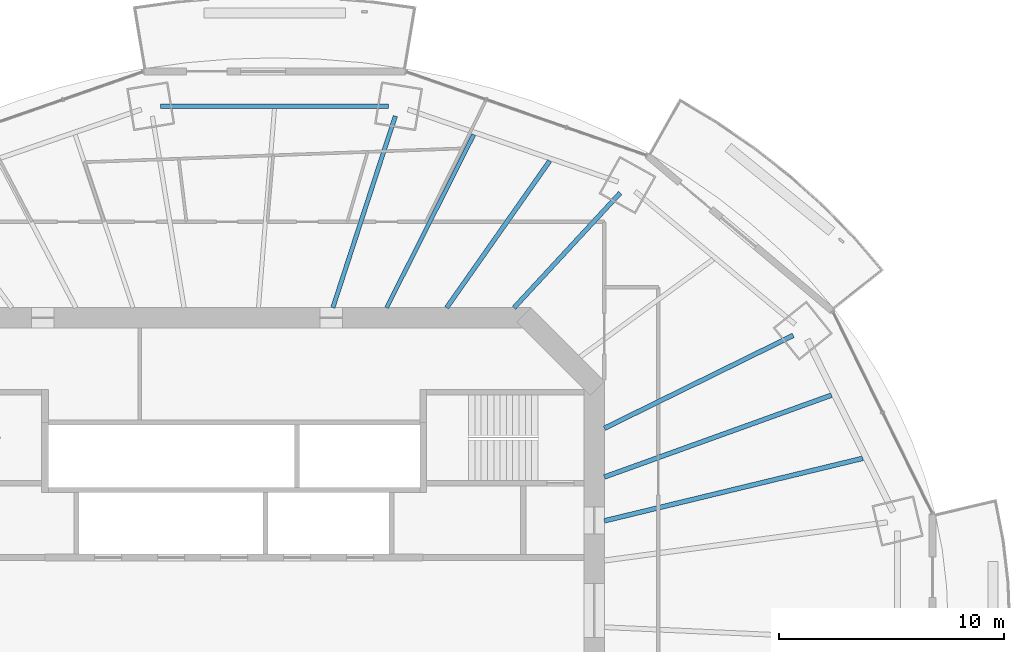
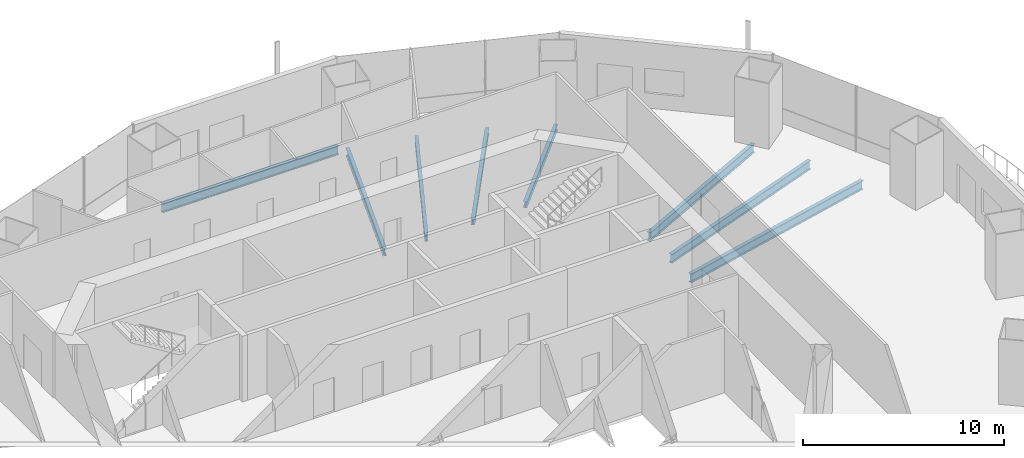
# One storey, part 7 of 19: 8 beams.
"""IFC4 building model written with IfcOpenShell, lengths in metres."""

from ifc_helpers import new_model, si_unit, direction, frame, origin, origin_2d, place, context, subcontext, project, spatial, i_section, extrude, material, material_profile, profile_set, type_object, element, save


model = new_model("IFC4")

# Units and contexts
model_context = context("Model", 3, precision=1e-05, world=origin(), true_north=direction((0.0, 1.0)))
body_context = subcontext(model_context, "Body", "Model", "MODEL_VIEW")
ifc_project = project(units=[si_unit("LENGTHUNIT", "METRE"), si_unit("AREAUNIT", "SQUARE_METRE"), si_unit("VOLUMEUNIT", "CUBIC_METRE"), si_unit("PLANEANGLEUNIT", "RADIAN"), si_unit("MASSUNIT", "GRAM", prefix="KILO")], contexts=[model_context])

# Site, building, storey
site_placement = place(None, origin())
site = spatial("IfcSite", under=ifc_project, at=site_placement, CompositionType="ELEMENT")
building_placement = place(site_placement, origin())
building = spatial("IfcBuilding", under=site, at=building_placement, Name="Marenthal Gate Tower", CompositionType="ELEMENT")
storey_placement = place(building_placement, frame((0.0, 0.0, 252.35009765625)))
storey = spatial("IfcBuildingStorey", under=building, at=storey_placement, Name="L56", CompositionType="ELEMENT", Elevation=252.35009765625)

# Beams
ifc_material_1 = material(Name="Steel S355", Category="steel")
ifc_material_profile_1 = material_profile(ifc_material_1, i_section(OverallWidth=0.205078125, OverallDepth=0.35302734375, WebThickness=0.009521484375, FlangeThickness=0.016845703125, FilletRadius=0.014892578125, at=origin_2d()), Name="W360X79")
ifc_profile_set_1 = profile_set([ifc_material_profile_1], Name="Steel S355")
beam_type_1 = type_object("IfcBeamType", Name="W360X79 beam", PredefinedType="BEAM", material=ifc_profile_set_1)
beam_1_placement = place(storey_placement, frame((17.155517578125, 18.55029296875, -0.356689453125), z_axis=(-0.678981850603, -0.734155056205, 0.0), x_axis=(0.734155056205, -0.678981850603, 0.0)))
element("IfcBeam", 1, at=beam_1_placement, inside=storey, type_object=beam_type_1, Name="BM-L56-03", PredefinedType="BEAM", context=body_context, shape_type="SweptSolid", body=[
    extrude(i_section(OverallWidth=0.205078125, OverallDepth=0.35302734375, WebThickness=0.009521484375, FlangeThickness=0.016845703125, FilletRadius=0.014892578125, at=origin_2d()), origin(), (0.0, 0.0, 1.0), 6.947265625),
])
beam_2_placement = place(storey_placement, frame((14.025146484375, 19.978271484375, -0.356689453125), z_axis=(-0.57457109748, -0.818454674335, 0.0), x_axis=(0.818454674335, -0.57457109748, 0.0)))
element("IfcBeam", 2, at=beam_2_placement, inside=storey, type_object=beam_type_1, Name="BM-L56-20", PredefinedType="BEAM", context=body_context, shape_type="SweptSolid", body=[
    extrude(i_section(OverallWidth=0.205078125, OverallDepth=0.35302734375, WebThickness=0.009521484375, FlangeThickness=0.016845703125, FilletRadius=0.014892578125, at=origin_2d()), origin(), (0.0, 0.0, 1.0), 7.976318359375),
])
ifc_material_2 = material(Name="Steel S355", Category="steel")
ifc_material_profile_2 = material_profile(ifc_material_2, i_section(OverallWidth=0.180908203125, OverallDepth=0.4169921875, WebThickness=0.010986328125, FlangeThickness=0.018310546875, FilletRadius=0.01025390625, at=origin_2d()), Name="W410X85")
ifc_profile_set_2 = profile_set([ifc_material_profile_2], Name="Steel S355")
beam_type_2 = type_object("IfcBeamType", Name="W410X85 beam", PredefinedType="BEAM", material=ifc_profile_set_2)
beam_3_placement = place(storey_placement, frame((10.649169921875, 21.140380859375, -0.388671875), z_axis=(-0.449888013054, -0.893084976758, 0.0), x_axis=(0.893084976758, -0.449888013054, 0.0)))
element("IfcBeam", 3, at=beam_3_placement, inside=storey, type_object=beam_type_2, Name="BM-L56-21", PredefinedType="BEAM", context=body_context, shape_type="SweptSolid", body=[
    extrude(i_section(OverallWidth=0.180908203125, OverallDepth=0.4169921875, WebThickness=0.010986328125, FlangeThickness=0.018310546875, FilletRadius=0.01025390625, at=origin_2d()), origin(), (0.0, 0.0, 1.0), 8.611083984375),
])
ifc_material_3 = material(Name="Steel S355", Category="steel")
ifc_material_profile_3 = material_profile(ifc_material_3, i_section(OverallWidth=0.193115234375, OverallDepth=0.467041015625, WebThickness=0.011474609375, FlangeThickness=0.01904296875, FilletRadius=0.010009765625, at=origin_2d()), Name="W460X97")
ifc_profile_set_3 = profile_set([ifc_material_profile_3], Name="Steel S355")
beam_type_3 = type_object("IfcBeamType", Name="W460X97 beam", PredefinedType="BEAM", material=ifc_profile_set_3)
beam_4_placement = place(storey_placement, frame((7.1630859375, 21.965087890625, -0.41357421875), z_axis=(-0.310038810958, -0.950723900878, 0.0), x_axis=(0.950723900878, -0.310038810958, 0.0)))
element("IfcBeam", 4, at=beam_4_placement, inside=storey, type_object=beam_type_3, Name="BM-L56-04", PredefinedType="BEAM", context=body_context, shape_type="SweptSolid", body=[
    extrude(i_section(OverallWidth=0.193115234375, OverallDepth=0.467041015625, WebThickness=0.011474609375, FlangeThickness=0.01904296875, FilletRadius=0.010009765625, at=origin_2d()), origin(), (0.0, 0.0, 1.0), 8.95654296875),
])
ifc_material_4 = material(Name="Steel S355", Category="steel")
ifc_material_profile_4 = material_profile(ifc_material_4, i_section(OverallWidth=0.2099609375, OverallDepth=0.535888671875, WebThickness=0.010986328125, FlangeThickness=0.017333984375, FilletRadius=0.0126953125, at=origin_2d()), Name="W530X101")
ifc_profile_set_4 = profile_set([ifc_material_profile_4], Name="Steel S355")
beam_type_4 = type_object("IfcBeamType", Name="W530X101 beam", PredefinedType="BEAM", material=ifc_profile_set_4)
beam_5_placement = place(storey_placement, frame((24.841796875, 12.22119140625, -0.447998046875), z_axis=(-0.897295727619, -0.441429923313, 0.0), x_axis=(0.441429923313, -0.897295727619, 0.0)))
element("IfcBeam", 5, at=beam_5_placement, inside=storey, type_object=beam_type_4, Name="BM-L56-02", PredefinedType="BEAM", context=body_context, shape_type="SweptSolid", body=[
    extrude(i_section(OverallWidth=0.2099609375, OverallDepth=0.535888671875, WebThickness=0.010986328125, FlangeThickness=0.017333984375, FilletRadius=0.0126953125, at=origin_2d()), origin(), (0.0, 0.0, 1.0), 9.352294921875),
])
beam_6_placement = place(storey_placement, frame((26.539306640625, 9.564453125, -0.447998046875), z_axis=(-0.940773890278, -0.33903464037, 0.0), x_axis=(0.33903464037, -0.940773890278, 0.0)))
element("IfcBeam", 6, at=beam_6_placement, inside=storey, type_object=beam_type_4, Name="BM-L56-18", PredefinedType="BEAM", context=body_context, shape_type="SweptSolid", body=[
    extrude(i_section(OverallWidth=0.2099609375, OverallDepth=0.535888671875, WebThickness=0.010986328125, FlangeThickness=0.017333984375, FilletRadius=0.0126953125, at=origin_2d()), origin(), (0.0, 0.0, 1.0), 10.724609375),
])
ifc_material_5 = material(Name="Steel S355", Category="steel")
ifc_material_profile_5 = material_profile(ifc_material_5, i_section(OverallWidth=0.2119140625, OverallDepth=0.5439453125, WebThickness=0.01318359375, FlangeThickness=0.021240234375, FilletRadius=0.0126953125, at=origin_2d()), Name="W530X123")
ifc_profile_set_5 = profile_set([ifc_material_profile_5], Name="Steel S355")
beam_type_5 = type_object("IfcBeamType", Name="W530X123 beam", PredefinedType="BEAM", material=ifc_profile_set_5)
beam_7_placement = place(storey_placement, frame((27.93701171875, 6.76025390625, -0.4521484375), z_axis=(-0.971950777565, -0.235184365956, 0.0), x_axis=(0.235184365956, -0.971950777565, 0.0)))
element("IfcBeam", 7, at=beam_7_placement, inside=storey, type_object=beam_type_5, Name="BM-L56-17", PredefinedType="BEAM", context=body_context, shape_type="SweptSolid", body=[
    extrude(i_section(OverallWidth=0.2119140625, OverallDepth=0.5439453125, WebThickness=0.01318359375, FlangeThickness=0.021240234375, FilletRadius=0.0126953125, at=origin_2d()), origin(), (0.0, 0.0, 1.0), 11.818603515625),
])
beam_8_placement = place(storey_placement, frame((6.868408203125, 22.4033203125, -0.4521484375), z_axis=(-1.0, 0.0, 0.0), x_axis=(0.0, -1.0, 0.0)))
element("IfcBeam", 8, at=beam_8_placement, inside=storey, type_object=beam_type_5, Name="BM-L56-44", PredefinedType="BEAM", context=body_context, shape_type="SweptSolid", body=[
    extrude(i_section(OverallWidth=0.2119140625, OverallDepth=0.5439453125, WebThickness=0.01318359375, FlangeThickness=0.021240234375, FilletRadius=0.0126953125, at=origin_2d()), origin(), (0.0, 0.0, 1.0), 10.13671875),
])

save(model, "model.ifc")
